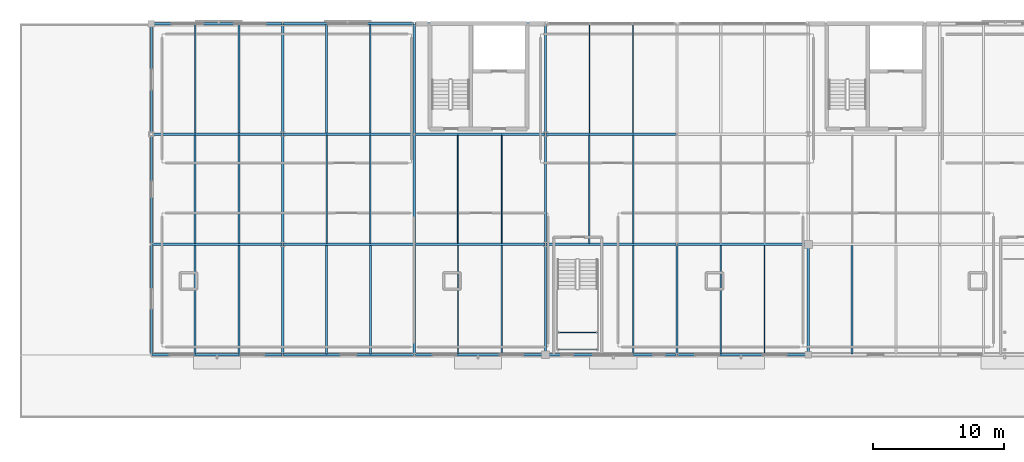
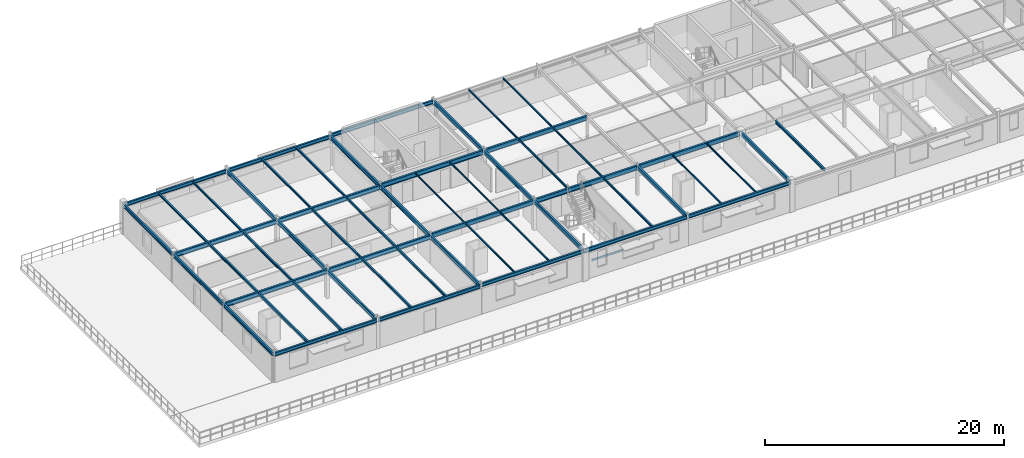
# One storey, part 11 of 23: 57 beams.
"""IFC4 building model written with IfcOpenShell, lengths in metres."""

from ifc_helpers import new_model, si_unit, derived_unit, direction, frame, origin, origin_2d_with_axis, place, context, subcontext, project, spatial, hollow_rectangle, i_section, extrude, material, material_profile, profile_set, type_object, element, save


model = new_model("IFC4")

# Units and contexts
model_context = context("Model", 3, precision=1e-05, world=origin(), true_north=direction((0.0, 1.0)))
body_context = subcontext(model_context, "Body", "Model", "MODEL_VIEW")
ifc_project = project(units=[si_unit("LENGTHUNIT", "METRE"), si_unit("AREAUNIT", "SQUARE_METRE"), si_unit("VOLUMEUNIT", "CUBIC_METRE"), si_unit("PLANEANGLEUNIT", "RADIAN"), si_unit("MASSUNIT", "GRAM", prefix="KILO"), derived_unit("THERMALTRANSMITTANCEUNIT", [(si_unit("POWERUNIT", "WATT"), 1), (si_unit("LENGTHUNIT", "METRE"), -2), (si_unit("THERMODYNAMICTEMPERATUREUNIT", "KELVIN"), -1)])], contexts=[model_context])

# Site, building, storey
site_placement = place(None, origin())
site = spatial("IfcSite", under=ifc_project, at=site_placement, CompositionType="ELEMENT")
building_placement = place(site_placement, origin())
building = spatial("IfcBuilding", under=site, at=building_placement, Name="Cinnabar Yard Market Hall", CompositionType="ELEMENT")
storey_placement = place(building_placement, frame((0.0, 0.0, 12.0)))
storey = spatial("IfcBuildingStorey", under=building, at=storey_placement, Name="L03", CompositionType="ELEMENT", Elevation=12.0)

# Beams
ifc_material_1 = material(Name="Steel Grade 300 (300 MPa)", Category="steel")
ifc_material_profile_1 = material_profile(ifc_material_1, i_section(OverallWidth=0.18994140625, OverallDepth=0.453857421875, WebThickness=0.008544921875, FlangeThickness=0.0126953125, FilletRadius=0.011474609375, at=origin_2d_with_axis()), Name="460UB67.1")
ifc_profile_set_1 = profile_set([ifc_material_profile_1], Name="Steel Grade 300 (300 MPa)")
beam_type_1 = type_object("IfcBeamType", Name="BM-B05", PredefinedType="BEAM", material=ifc_profile_set_1)
for number, where, z_axis, x_axis, name in (
    (1, (76.06005859375, 121.199951171875, 2.753173828125), (1.0, 0.0, 0.0), (0.0, 1.0, 0.0), "V3 L03 Girder X 01352"),
    (2, (76.06005859375, 129.60009765625, 2.753173828125), (1.0, 0.0, 0.0), (0.0, 1.0, 0.0), "V3 L03 Girder X 01353"),
    (3, (86.06005859375, 121.199951171875, 2.753173828125), (1.0, 0.0, 0.0), (0.0, 1.0, 0.0), "V3 L03 Girder X 01356"),
    (4, (86.06005859375, 129.60009765625, 2.753173828125), (1.0, 0.0, 0.0), (0.0, 1.0, 0.0), "V3 L03 Girder X 01357"),
    (5, (96.06005859375, 121.199951171875, 2.843017578125), (1.0, 0.0, 0.0), (0.0, 1.0, 0.0), "V3 L03 Girder X 01360"),
    (6, (96.06005859375, 129.60009765625, 2.843017578125), (1.0, 0.0, 0.0), (0.0, 1.0, 0.0), "V3 L03 Girder X 01361"),
    (7, (106.06005859375, 121.199951171875, 2.843017578125), (1.0, 0.0, 0.0), (0.0, 1.0, 0.0), "V3 L03 Girder X 01364"),
    (8, (106.06005859375, 129.60009765625, 2.843017578125), (1.0, 0.0, 0.0), (0.0, 1.0, 0.0), "V3 L03 Girder X 01365"),
    (9, (116.06005859375, 121.199951171875, 2.843017578125), (1.0, 0.0, 0.0), (0.0, 1.0, 0.0), "V3 L03 Girder X 01368"),
):
    element("IfcBeam", number, at=place(storey_placement, frame(where, z_axis=z_axis, x_axis=x_axis)), inside=storey, type_object=beam_type_1, Name=name, PredefinedType="BEAM", context=body_context, shape_type="SweptSolid", body=[
        extrude(i_section(OverallWidth=0.18994140625, OverallDepth=0.453857421875, WebThickness=0.008544921875, FlangeThickness=0.0126953125, FilletRadius=0.011474609375, at=origin_2d_with_axis()), origin(), (0.0, 0.0, 1.0), 9.8798828125),
    ])
ifc_material_profile_2 = material_profile(ifc_material_1, i_section(OverallWidth=0.177978515625, OverallDepth=0.406494140625, WebThickness=0.0078125, FlangeThickness=0.0126953125, FilletRadius=0.011474609375, at=origin_2d_with_axis()), Name="410UB59.7")
ifc_profile_set_2 = profile_set([ifc_material_profile_2], Name="Steel Grade 300 (300 MPa)")
beam_type_2 = type_object("IfcBeamType", Name="BM-B06", PredefinedType="BEAM", material=ifc_profile_set_2)
beam_1_placement = place(storey_placement, frame((86.0, 112.860107421875, 2.77685546875), z_axis=(0.0, 1.0, 0.0), x_axis=(-1.0, 0.0, 0.0)))
element("IfcBeam", 10, at=beam_1_placement, inside=storey, type_object=beam_type_2, Name="V3 L03 Girder Y 01386", PredefinedType="BEAM", context=body_context, shape_type="SweptSolid", body=[
    extrude(i_section(OverallWidth=0.177978515625, OverallDepth=0.406494140625, WebThickness=0.0078125, FlangeThickness=0.0126953125, FilletRadius=0.011474609375, at=origin_2d_with_axis()), origin(), (0.0, 0.0, 1.0), 8.27978515625),
])
for number, where, z_axis, x_axis, name in (
    (11, (86.0, 121.260009765625, 2.77685546875), (0.0, 1.0, 0.0), (-1.0, 0.0, 0.0), "V3 L03 Girder Y 01387"),
    (12, (86.0, 129.659912109375, 2.77685546875), (0.0, 1.0, 0.0), (-1.0, 0.0, 0.0), "V3 L03 Girder Y 01388"),
):
    element("IfcBeam", number, at=place(storey_placement, frame(where, z_axis=z_axis, x_axis=x_axis)), inside=storey, type_object=beam_type_2, Name=name, PredefinedType="BEAM", context=body_context, shape_type="SweptSolid", body=[
        extrude(i_section(OverallWidth=0.177978515625, OverallDepth=0.406494140625, WebThickness=0.0078125, FlangeThickness=0.0126953125, FilletRadius=0.011474609375, at=origin_2d_with_axis()), origin(), (0.0, 0.0, 1.0), 8.280029296875),
    ])
beam_2_placement = place(storey_placement, frame((96.0, 112.860107421875, 2.77685546875), z_axis=(0.0, 1.0, 0.0), x_axis=(-1.0, 0.0, 0.0)))
element("IfcBeam", 13, at=beam_2_placement, inside=storey, type_object=beam_type_2, Name="V3 L03 Girder Y 01389", PredefinedType="BEAM", context=body_context, shape_type="SweptSolid", body=[
    extrude(i_section(OverallWidth=0.177978515625, OverallDepth=0.406494140625, WebThickness=0.0078125, FlangeThickness=0.0126953125, FilletRadius=0.011474609375, at=origin_2d_with_axis()), origin(), (0.0, 0.0, 1.0), 8.27978515625),
])
for number, where, z_axis, x_axis, name in (
    (14, (96.0, 121.260009765625, 2.77685546875), (0.0, 1.0, 0.0), (-1.0, 0.0, 0.0), "V3 L03 Girder Y 01390"),
    (15, (96.0, 129.659912109375, 2.77685546875), (0.0, 1.0, 0.0), (-1.0, 0.0, 0.0), "V3 L03 Girder Y 01391"),
):
    element("IfcBeam", number, at=place(storey_placement, frame(where, z_axis=z_axis, x_axis=x_axis)), inside=storey, type_object=beam_type_2, Name=name, PredefinedType="BEAM", context=body_context, shape_type="SweptSolid", body=[
        extrude(i_section(OverallWidth=0.177978515625, OverallDepth=0.406494140625, WebThickness=0.0078125, FlangeThickness=0.0126953125, FilletRadius=0.011474609375, at=origin_2d_with_axis()), origin(), (0.0, 0.0, 1.0), 8.280029296875),
    ])
beam_3_placement = place(storey_placement, frame((106.0, 112.860107421875, 2.86669921875), z_axis=(0.0, 1.0, 0.0), x_axis=(-1.0, 0.0, 0.0)))
element("IfcBeam", 16, at=beam_3_placement, inside=storey, type_object=beam_type_2, Name="V3 L03 Girder Y 01392", PredefinedType="BEAM", context=body_context, shape_type="SweptSolid", body=[
    extrude(i_section(OverallWidth=0.177978515625, OverallDepth=0.406494140625, WebThickness=0.0078125, FlangeThickness=0.0126953125, FilletRadius=0.011474609375, at=origin_2d_with_axis()), origin(), (0.0, 0.0, 1.0), 8.27978515625),
])
for number, where, z_axis, x_axis, name in (
    (17, (106.0, 121.260009765625, 2.86669921875), (0.0, 1.0, 0.0), (-1.0, 0.0, 0.0), "V3 L03 Girder Y 01393"),
    (18, (106.0, 129.659912109375, 2.86669921875), (0.0, 1.0, 0.0), (-1.0, 0.0, 0.0), "V3 L03 Girder Y 01394"),
):
    element("IfcBeam", number, at=place(storey_placement, frame(where, z_axis=z_axis, x_axis=x_axis)), inside=storey, type_object=beam_type_2, Name=name, PredefinedType="BEAM", context=body_context, shape_type="SweptSolid", body=[
        extrude(i_section(OverallWidth=0.177978515625, OverallDepth=0.406494140625, WebThickness=0.0078125, FlangeThickness=0.0126953125, FilletRadius=0.011474609375, at=origin_2d_with_axis()), origin(), (0.0, 0.0, 1.0), 8.280029296875),
    ])
for number, where, z_axis, x_axis, name in (
    (19, (116.0, 112.860107421875, 2.86669921875), (0.0, 1.0, 0.0), (-1.0, 0.0, 0.0), "V3 L03 Girder Y 01395"),
    (20, (126.0, 112.860107421875, 2.86669921875), (0.0, 1.0, 0.0), (-1.0, 0.0, 0.0), "V3 L03 Girder Y 01398"),
):
    element("IfcBeam", number, at=place(storey_placement, frame(where, z_axis=z_axis, x_axis=x_axis)), inside=storey, type_object=beam_type_2, Name=name, PredefinedType="BEAM", context=body_context, shape_type="SweptSolid", body=[
        extrude(i_section(OverallWidth=0.177978515625, OverallDepth=0.406494140625, WebThickness=0.0078125, FlangeThickness=0.0126953125, FilletRadius=0.011474609375, at=origin_2d_with_axis()), origin(), (0.0, 0.0, 1.0), 8.27978515625),
    ])
ifc_material_profile_3 = material_profile(ifc_material_1, i_section(OverallWidth=0.14892578125, OverallDepth=0.298095703125, WebThickness=0.005615234375, FlangeThickness=0.008056640625, FilletRadius=0.0087890625, at=origin_2d_with_axis()), Name="310UB32.0")
ifc_profile_set_3 = profile_set([ifc_material_profile_3], Name="Steel Grade 300 (300 MPa)")
beam_type_3 = type_object("IfcBeamType", Name="BM-J02", PredefinedType="JOIST", material=ifc_profile_set_3)
for number, where, z_axis, x_axis, name in (
    (21, (79.333251953125, 112.875, 2.8310546875), (0.0, 1.0, 0.0), (-1.0, 0.0, 0.0), "V3 L03 Joist 01410"),
    (22, (82.666748046875, 112.875, 2.8310546875), (0.0, 1.0, 0.0), (-1.0, 0.0, 0.0), "V3 L03 Joist 01413"),
):
    element("IfcBeam", number, at=place(storey_placement, frame(where, z_axis=z_axis, x_axis=x_axis)), inside=storey, type_object=beam_type_3, Name=name, PredefinedType="JOIST", context=body_context, shape_type="SweptSolid", body=[
        extrude(i_section(OverallWidth=0.14892578125, OverallDepth=0.298095703125, WebThickness=0.005615234375, FlangeThickness=0.008056640625, FilletRadius=0.0087890625, at=origin_2d_with_axis()), origin(), (0.0, 0.0, 1.0), 8.25),
    ])
ifc_material_profile_4 = material_profile(ifc_material_1, i_section(OverallWidth=0.14599609375, OverallDepth=0.256103515625, WebThickness=0.00634765625, FlangeThickness=0.010986328125, FilletRadius=0.0087890625, at=origin_2d_with_axis()), Name="250UB37.3")
ifc_profile_set_4 = profile_set([ifc_material_profile_4], Name="Steel Grade 300 (300 MPa)")
beam_type_4 = type_object("IfcBeamType", Name="BM-J03", PredefinedType="JOIST", material=ifc_profile_set_4)
for number, where, z_axis, x_axis, name in (
    (23, (79.333251953125, 121.27490234375, 2.851806640625), (0.0, 1.0, 0.0), (-1.0, 0.0, 0.0), "V3 L03 Joist 01411"),
    (24, (82.666748046875, 121.27490234375, 2.851806640625), (0.0, 1.0, 0.0), (-1.0, 0.0, 0.0), "V3 L03 Joist 01414"),
):
    element("IfcBeam", number, at=place(storey_placement, frame(where, z_axis=z_axis, x_axis=x_axis)), inside=storey, type_object=beam_type_4, Name=name, PredefinedType="JOIST", context=body_context, shape_type="SweptSolid", body=[
        extrude(i_section(OverallWidth=0.14599609375, OverallDepth=0.256103515625, WebThickness=0.00634765625, FlangeThickness=0.010986328125, FilletRadius=0.0087890625, at=origin_2d_with_axis()), origin(), (0.0, 0.0, 1.0), 8.25),
    ])
ifc_material_profile_5 = material_profile(ifc_material_1, i_section(OverallWidth=0.134033203125, OverallDepth=0.20703125, WebThickness=0.00634765625, FlangeThickness=0.009521484375, FilletRadius=0.0087890625, at=origin_2d_with_axis()), Name="200UB29.8")
ifc_profile_set_5 = profile_set([ifc_material_profile_5], Name="Steel Grade 300 (300 MPa)")
beam_type_5 = type_object("IfcBeamType", Name="BM-J04", PredefinedType="JOIST", material=ifc_profile_set_5)
for number, where, z_axis, x_axis, name in (
    (25, (79.333251953125, 129.675048828125, 2.87646484375), (0.0, 1.0, 0.0), (-1.0, 0.0, 0.0), "V3 L03 Joist 01412"),
    (26, (82.666748046875, 129.675048828125, 2.87646484375), (0.0, 1.0, 0.0), (-1.0, 0.0, 0.0), "V3 L03 Joist 01415"),
):
    element("IfcBeam", number, at=place(storey_placement, frame(where, z_axis=z_axis, x_axis=x_axis)), inside=storey, type_object=beam_type_5, Name=name, PredefinedType="JOIST", context=body_context, shape_type="SweptSolid", body=[
        extrude(i_section(OverallWidth=0.134033203125, OverallDepth=0.20703125, WebThickness=0.00634765625, FlangeThickness=0.009521484375, FilletRadius=0.0087890625, at=origin_2d_with_axis()), origin(), (0.0, 0.0, 1.0), 8.25),
    ])
ifc_material_profile_6 = material_profile(ifc_material_1, i_section(OverallWidth=0.14599609375, OverallDepth=0.251708984375, WebThickness=0.006103515625, FlangeThickness=0.008544921875, FilletRadius=0.0087890625, at=origin_2d_with_axis()), Name="250UB31.4")
ifc_profile_set_6 = profile_set([ifc_material_profile_6], Name="Steel Grade 300 (300 MPa)")
beam_type_6 = type_object("IfcBeamType", Name="BM-J05", PredefinedType="JOIST", material=ifc_profile_set_6)
for number, where, z_axis, x_axis, name in (
    (27, (89.333251953125, 112.875, 2.854248046875), (0.0, 1.0, 0.0), (-1.0, 0.0, 0.0), "V3 L03 Joist 01416"),
    (28, (92.666748046875, 112.875, 2.854248046875), (0.0, 1.0, 0.0), (-1.0, 0.0, 0.0), "V3 L03 Joist 01419"),
):
    element("IfcBeam", number, at=place(storey_placement, frame(where, z_axis=z_axis, x_axis=x_axis)), inside=storey, type_object=beam_type_6, Name=name, PredefinedType="JOIST", context=body_context, shape_type="SweptSolid", body=[
        extrude(i_section(OverallWidth=0.14599609375, OverallDepth=0.251708984375, WebThickness=0.006103515625, FlangeThickness=0.008544921875, FilletRadius=0.0087890625, at=origin_2d_with_axis()), origin(), (0.0, 0.0, 1.0), 8.25),
    ])
ifc_material_profile_7 = material_profile(ifc_material_1, i_section(OverallWidth=0.1240234375, OverallDepth=0.248291015625, WebThickness=0.0048828125, FlangeThickness=0.008056640625, FilletRadius=0.0087890625, at=origin_2d_with_axis()), Name="250UB25.7")
ifc_profile_set_7 = profile_set([ifc_material_profile_7], Name="Steel Grade 300 (300 MPa)")
beam_type_7 = type_object("IfcBeamType", Name="BM-J06", PredefinedType="JOIST", material=ifc_profile_set_7)
for number, where, z_axis, x_axis, name in (
    (29, (89.333251953125, 121.27490234375, 2.855712890625), (0.0, 1.0, 0.0), (-1.0, 0.0, 0.0), "V3 L03 Joist 01417"),
    (30, (92.666748046875, 121.27490234375, 2.855712890625), (0.0, 1.0, 0.0), (-1.0, 0.0, 0.0), "V3 L03 Joist 01420"),
):
    element("IfcBeam", number, at=place(storey_placement, frame(where, z_axis=z_axis, x_axis=x_axis)), inside=storey, type_object=beam_type_7, Name=name, PredefinedType="JOIST", context=body_context, shape_type="SweptSolid", body=[
        extrude(i_section(OverallWidth=0.1240234375, OverallDepth=0.248291015625, WebThickness=0.0048828125, FlangeThickness=0.008056640625, FilletRadius=0.0087890625, at=origin_2d_with_axis()), origin(), (0.0, 0.0, 1.0), 8.25),
    ])
ifc_material_profile_8 = material_profile(ifc_material_1, i_section(OverallWidth=0.133056640625, OverallDepth=0.203125, WebThickness=0.005859375, FlangeThickness=0.0078125, FilletRadius=0.0087890625, at=origin_2d_with_axis()), Name="200UB25.4")
ifc_profile_set_8 = profile_set([ifc_material_profile_8], Name="Steel Grade 300 (300 MPa)")
beam_type_8 = type_object("IfcBeamType", Name="BM-J07", PredefinedType="JOIST", material=ifc_profile_set_8)
for number, where, z_axis, x_axis, name in (
    (31, (89.333251953125, 129.675048828125, 2.87841796875), (0.0, 1.0, 0.0), (-1.0, 0.0, 0.0), "V3 L03 Joist 01418"),
    (32, (92.666748046875, 129.675048828125, 2.87841796875), (0.0, 1.0, 0.0), (-1.0, 0.0, 0.0), "V3 L03 Joist 01421"),
):
    element("IfcBeam", number, at=place(storey_placement, frame(where, z_axis=z_axis, x_axis=x_axis)), inside=storey, type_object=beam_type_8, Name=name, PredefinedType="JOIST", context=body_context, shape_type="SweptSolid", body=[
        extrude(i_section(OverallWidth=0.133056640625, OverallDepth=0.203125, WebThickness=0.005859375, FlangeThickness=0.0078125, FilletRadius=0.0087890625, at=origin_2d_with_axis()), origin(), (0.0, 0.0, 1.0), 8.25),
    ])
ifc_material_profile_9 = material_profile(ifc_material_1, i_section(OverallWidth=0.090087890625, OverallDepth=0.178955078125, WebThickness=0.006103515625, FlangeThickness=0.009521484375, FilletRadius=0.0087890625, at=origin_2d_with_axis()), Name="180UB22.2")
ifc_profile_set_9 = profile_set([ifc_material_profile_9], Name="Steel Grade 300 (300 MPa)")
beam_type_9 = type_object("IfcBeamType", Name="BM-J08", PredefinedType="JOIST", material=ifc_profile_set_9)
for number, where, z_axis, x_axis, name in (
    (33, (99.333251953125, 112.875, 2.98046875), (0.0, 1.0, 0.0), (-1.0, 0.0, 0.0), "V3 L03 Joist 01422"),
    (34, (102.666748046875, 112.875, 2.98046875), (0.0, 1.0, 0.0), (-1.0, 0.0, 0.0), "V3 L03 Joist 01424"),
):
    element("IfcBeam", number, at=place(storey_placement, frame(where, z_axis=z_axis, x_axis=x_axis)), inside=storey, type_object=beam_type_9, Name=name, PredefinedType="JOIST", context=body_context, shape_type="SweptSolid", body=[
        extrude(i_section(OverallWidth=0.090087890625, OverallDepth=0.178955078125, WebThickness=0.006103515625, FlangeThickness=0.009521484375, FilletRadius=0.0087890625, at=origin_2d_with_axis()), origin(), (0.0, 0.0, 1.0), 8.25),
    ])
ifc_material_profile_10 = material_profile(ifc_material_1, i_section(OverallWidth=0.074951171875, OverallDepth=0.155029296875, WebThickness=0.006103515625, FlangeThickness=0.009521484375, FilletRadius=0.008056640625, at=origin_2d_with_axis()), Name="150UB18.0")
ifc_profile_set_10 = profile_set([ifc_material_profile_10], Name="Steel Grade 300 (300 MPa)")
beam_type_10 = type_object("IfcBeamType", Name="BM-J09", PredefinedType="JOIST", material=ifc_profile_set_10)
for number, where, z_axis, x_axis, name in (
    (35, (99.333251953125, 121.27490234375, 2.992431640625), (0.0, 1.0, 0.0), (-1.0, 0.0, 0.0), "V3 L03 Joist 01423"),
    (36, (102.666748046875, 121.27490234375, 2.992431640625), (0.0, 1.0, 0.0), (-1.0, 0.0, 0.0), "V3 L03 Joist 01425"),
):
    element("IfcBeam", number, at=place(storey_placement, frame(where, z_axis=z_axis, x_axis=x_axis)), inside=storey, type_object=beam_type_10, Name=name, PredefinedType="JOIST", context=body_context, shape_type="SweptSolid", body=[
        extrude(i_section(OverallWidth=0.074951171875, OverallDepth=0.155029296875, WebThickness=0.006103515625, FlangeThickness=0.009521484375, FilletRadius=0.008056640625, at=origin_2d_with_axis()), origin(), (0.0, 0.0, 1.0), 8.25),
    ])
ifc_material_profile_11 = material_profile(ifc_material_1, i_section(OverallWidth=0.133056640625, OverallDepth=0.20166015625, WebThickness=0.0048828125, FlangeThickness=0.0078125, FilletRadius=0.0087890625, at=origin_2d_with_axis()), Name="200UB22.3")
ifc_profile_set_11 = profile_set([ifc_material_profile_11], Name="Steel Grade 300 (300 MPa)")
beam_type_11 = type_object("IfcBeamType", Name="BM-J11", PredefinedType="JOIST", material=ifc_profile_set_11)
beam_4_placement = place(storey_placement, frame((112.666748046875, 112.875, 2.96923828125), z_axis=(0.0, 1.0, 0.0), x_axis=(-1.0, 0.0, 0.0)))
element("IfcBeam", 37, at=beam_4_placement, inside=storey, type_object=beam_type_11, Name="V3 L03 Joist 01428", PredefinedType="JOIST", context=body_context, shape_type="SweptSolid", body=[
    extrude(i_section(OverallWidth=0.133056640625, OverallDepth=0.20166015625, WebThickness=0.0048828125, FlangeThickness=0.0078125, FilletRadius=0.0087890625, at=origin_2d_with_axis()), origin(), (0.0, 0.0, 1.0), 8.25),
])
ifc_material_profile_12 = material_profile(ifc_material_1, i_section(OverallWidth=0.09912109375, OverallDepth=0.197998046875, WebThickness=0.00439453125, FlangeThickness=0.007080078125, FilletRadius=0.0087890625, at=origin_2d_with_axis()), Name="200UB18.2")
ifc_profile_set_12 = profile_set([ifc_material_profile_12], Name="Steel Grade 300 (300 MPa)")
beam_type_12 = type_object("IfcBeamType", Name="BM-J12", PredefinedType="JOIST", material=ifc_profile_set_12)
for number, where, z_axis, x_axis, name in (
    (38, (109.333251953125, 121.27490234375, 2.970947265625), (0.0, 1.0, 0.0), (-1.0, 0.0, 0.0), "V3 L03 Joist 01426"),
    (39, (112.666748046875, 121.27490234375, 2.970947265625), (0.0, 1.0, 0.0), (-1.0, 0.0, 0.0), "V3 L03 Joist 01429"),
):
    element("IfcBeam", number, at=place(storey_placement, frame(where, z_axis=z_axis, x_axis=x_axis)), inside=storey, type_object=beam_type_12, Name=name, PredefinedType="JOIST", context=body_context, shape_type="SweptSolid", body=[
        extrude(i_section(OverallWidth=0.09912109375, OverallDepth=0.197998046875, WebThickness=0.00439453125, FlangeThickness=0.007080078125, FilletRadius=0.0087890625, at=origin_2d_with_axis()), origin(), (0.0, 0.0, 1.0), 8.25),
    ])
ifc_material_profile_13 = material_profile(ifc_material_1, i_section(OverallWidth=0.090087890625, OverallDepth=0.175048828125, WebThickness=0.0048828125, FlangeThickness=0.008056640625, FilletRadius=0.0087890625, at=origin_2d_with_axis()), Name="180UB18.1")
ifc_profile_set_13 = profile_set([ifc_material_profile_13], Name="Steel Grade 300 (300 MPa)")
beam_type_13 = type_object("IfcBeamType", Name="BM-J13", PredefinedType="JOIST", material=ifc_profile_set_13)
for number, where, z_axis, x_axis, name in (
    (40, (109.333251953125, 129.675048828125, 2.982421875), (0.0, 1.0, 0.0), (-1.0, 0.0, 0.0), "V3 L03 Joist 01427"),
    (41, (112.666748046875, 129.675048828125, 2.982421875), (0.0, 1.0, 0.0), (-1.0, 0.0, 0.0), "V3 L03 Joist 01430"),
):
    element("IfcBeam", number, at=place(storey_placement, frame(where, z_axis=z_axis, x_axis=x_axis)), inside=storey, type_object=beam_type_13, Name=name, PredefinedType="JOIST", context=body_context, shape_type="SweptSolid", body=[
        extrude(i_section(OverallWidth=0.090087890625, OverallDepth=0.175048828125, WebThickness=0.0048828125, FlangeThickness=0.008056640625, FilletRadius=0.0087890625, at=origin_2d_with_axis()), origin(), (0.0, 0.0, 1.0), 8.25),
    ])
ifc_material_profile_14 = material_profile(ifc_material_1, i_section(OverallWidth=0.090087890625, OverallDepth=0.173095703125, WebThickness=0.00439453125, FlangeThickness=0.007080078125, FilletRadius=0.0087890625, at=origin_2d_with_axis()), Name="180UB16.1")
ifc_profile_set_14 = profile_set([ifc_material_profile_14], Name="Steel Grade 300 (300 MPa)")
beam_type_14 = type_object("IfcBeamType", Name="BM-J14", PredefinedType="JOIST", material=ifc_profile_set_14)
for number, where, z_axis, x_axis, name in (
    (42, (119.333251953125, 112.875, 2.9833984375), (0.0, 1.0, 0.0), (-1.0, 0.0, 0.0), "V3 L03 Joist 01431"),
    (43, (122.666748046875, 112.875, 2.9833984375), (0.0, 1.0, 0.0), (-1.0, 0.0, 0.0), "V3 L03 Joist 01434"),
):
    element("IfcBeam", number, at=place(storey_placement, frame(where, z_axis=z_axis, x_axis=x_axis)), inside=storey, type_object=beam_type_14, Name=name, PredefinedType="JOIST", context=body_context, shape_type="SweptSolid", body=[
        extrude(i_section(OverallWidth=0.090087890625, OverallDepth=0.173095703125, WebThickness=0.00439453125, FlangeThickness=0.007080078125, FilletRadius=0.0087890625, at=origin_2d_with_axis()), origin(), (0.0, 0.0, 1.0), 8.25),
    ])
ifc_material_profile_15 = material_profile(ifc_material_1, i_section(OverallWidth=0.14892578125, OverallDepth=0.298095703125, WebThickness=0.005615234375, FlangeThickness=0.008056640625, FilletRadius=0.0087890625, at=origin_2d_with_axis()), Name="310UB32.0")
ifc_profile_set_15 = profile_set([ifc_material_profile_15], Name="Steel Grade 300 (300 MPa)")
beam_type_15 = type_object("IfcBeamType", Name="BM-J17", PredefinedType="JOIST", material=ifc_profile_set_15)
beam_5_placement = place(storey_placement, frame((129.333251953125, 112.875, 2.9208984375), z_axis=(0.0, 1.0, 0.0), x_axis=(-1.0, 0.0, 0.0)))
element("IfcBeam", 44, at=beam_5_placement, inside=storey, type_object=beam_type_15, Name="V3 L03 Joist 01437", PredefinedType="JOIST", context=body_context, shape_type="SweptSolid", body=[
    extrude(i_section(OverallWidth=0.14892578125, OverallDepth=0.298095703125, WebThickness=0.005615234375, FlangeThickness=0.008056640625, FilletRadius=0.0087890625, at=origin_2d_with_axis()), origin(), (0.0, 0.0, 1.0), 8.25),
])
ifc_material_2 = material(Name="Cold-formed steel C350L0", Category="steel")
ifc_material_profile_16 = material_profile(ifc_material_2, hollow_rectangle(XDim=0.10009765625, YDim=0.199951171875, WallThickness=0.006103515625, InnerFilletRadius=0.006103515625, OuterFilletRadius=0.011962890625, at=origin_2d_with_axis()), Name="200x100x6.0RHS")
ifc_profile_set_16 = profile_set([ifc_material_profile_16], Name="Cold-formed steel C350L0")
beam_type_16 = type_object("IfcBeamType", Name="BM-LN01", PredefinedType="LINTEL", material=ifc_profile_set_16)
for number, where, z_axis, x_axis, name in (
    (45, (106.949951171875, 113.199951171875, 1.35009765625), (1.0, 0.0, 0.0), (0.0, 1.0, 0.0), "Feature Stair Landing Beam S ST-F4 L03"),
    (46, (106.949951171875, 114.5, 1.35009765625), (1.0, 0.0, 0.0), (0.0, 1.0, 0.0), "Feature Stair Landing Beam N ST-F4 L03"),
):
    element("IfcBeam", number, at=place(storey_placement, frame(where, z_axis=z_axis, x_axis=x_axis)), inside=storey, type_object=beam_type_16, Name=name, PredefinedType="LINTEL", context=body_context, shape_type="SweptSolid", body=[
        extrude(hollow_rectangle(XDim=0.10009765625, YDim=0.199951171875, WallThickness=0.006103515625, InnerFilletRadius=0.006103515625, OuterFilletRadius=0.011962890625, at=origin_2d_with_axis()), origin(), (0.0, 0.0, 1.0), 3.0),
    ])
ifc_material_profile_17 = material_profile(ifc_material_1, i_section(OverallWidth=0.172119140625, OverallDepth=0.358642578125, WebThickness=0.008056640625, FlangeThickness=0.012939453125, FilletRadius=0.011474609375, at=origin_2d_with_axis()), Name="360UB56.7")
ifc_profile_set_17 = profile_set([ifc_material_profile_17], Name="Steel Grade 300 (300 MPa)")
beam_type_17 = type_object("IfcBeamType", Name="BM-SP02E", PredefinedType="SPANDREL", material=ifc_profile_set_17)
for number, where, z_axis, x_axis, name in (
    (47, (76.06005859375, 112.800048828125, 2.80078125), (1.0, 0.0, 0.0), (0.0, 1.0, 0.0), "V3 L03 Girder X 01351"),
    (48, (76.06005859375, 138.0, 2.80078125), (1.0, 0.0, 0.0), (0.0, 1.0, 0.0), "V3 L03 Girder X 01354"),
    (49, (86.06005859375, 112.800048828125, 2.80078125), (1.0, 0.0, 0.0), (0.0, 1.0, 0.0), "V3 L03 Girder X 01355"),
    (50, (86.06005859375, 138.0, 2.80078125), (1.0, 0.0, 0.0), (0.0, 1.0, 0.0), "V3 L03 Girder X 01358"),
    (51, (96.06005859375, 112.800048828125, 2.890625), (1.0, 0.0, 0.0), (0.0, 1.0, 0.0), "V3 L03 Girder X 01359"),
    (52, (96.06005859375, 138.0, 2.890625), (1.0, 0.0, 0.0), (0.0, 1.0, 0.0), "V3 L03 Girder X 01362"),
    (53, (106.06005859375, 112.800048828125, 2.890625), (1.0, 0.0, 0.0), (0.0, 1.0, 0.0), "V3 L03 Girder X 01363"),
    (54, (116.06005859375, 112.800048828125, 2.890625), (1.0, 0.0, 0.0), (0.0, 1.0, 0.0), "V3 L03 Girder X 01367"),
):
    element("IfcBeam", number, at=place(storey_placement, frame(where, z_axis=z_axis, x_axis=x_axis)), inside=storey, type_object=beam_type_17, Name=name, PredefinedType="SPANDREL", context=body_context, shape_type="SweptSolid", body=[
        extrude(i_section(OverallWidth=0.172119140625, OverallDepth=0.358642578125, WebThickness=0.008056640625, FlangeThickness=0.012939453125, FilletRadius=0.011474609375, at=origin_2d_with_axis()), origin(), (0.0, 0.0, 1.0), 9.8798828125),
    ])
beam_6_placement = place(storey_placement, frame((76.0, 112.860107421875, 2.80078125), z_axis=(0.0, 1.0, 0.0), x_axis=(-1.0, 0.0, 0.0)))
element("IfcBeam", 55, at=beam_6_placement, inside=storey, type_object=beam_type_17, Name="V3 L03 Girder Y 01383", PredefinedType="SPANDREL", context=body_context, shape_type="SweptSolid", body=[
    extrude(i_section(OverallWidth=0.172119140625, OverallDepth=0.358642578125, WebThickness=0.008056640625, FlangeThickness=0.012939453125, FilletRadius=0.011474609375, at=origin_2d_with_axis()), origin(), (0.0, 0.0, 1.0), 8.27978515625),
])
for number, where, z_axis, x_axis, name in (
    (56, (76.0, 121.260009765625, 2.80078125), (0.0, 1.0, 0.0), (-1.0, 0.0, 0.0), "V3 L03 Girder Y 01384"),
    (57, (76.0, 129.659912109375, 2.80078125), (0.0, 1.0, 0.0), (-1.0, 0.0, 0.0), "V3 L03 Girder Y 01385"),
):
    element("IfcBeam", number, at=place(storey_placement, frame(where, z_axis=z_axis, x_axis=x_axis)), inside=storey, type_object=beam_type_17, Name=name, PredefinedType="SPANDREL", context=body_context, shape_type="SweptSolid", body=[
        extrude(i_section(OverallWidth=0.172119140625, OverallDepth=0.358642578125, WebThickness=0.008056640625, FlangeThickness=0.012939453125, FilletRadius=0.011474609375, at=origin_2d_with_axis()), origin(), (0.0, 0.0, 1.0), 8.280029296875),
    ])

save(model, "model.ifc")
